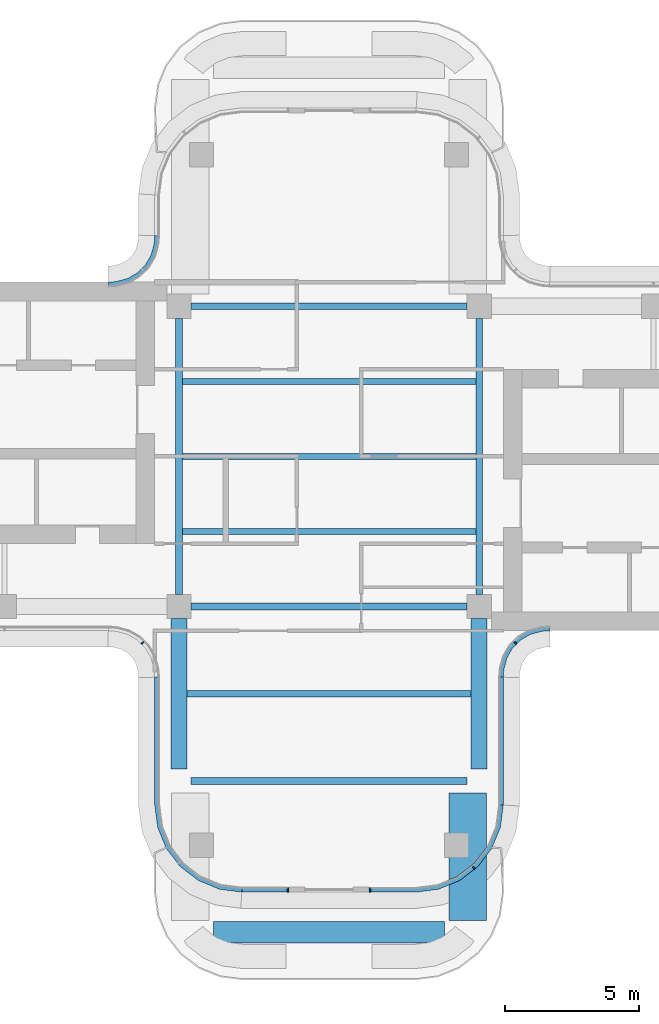
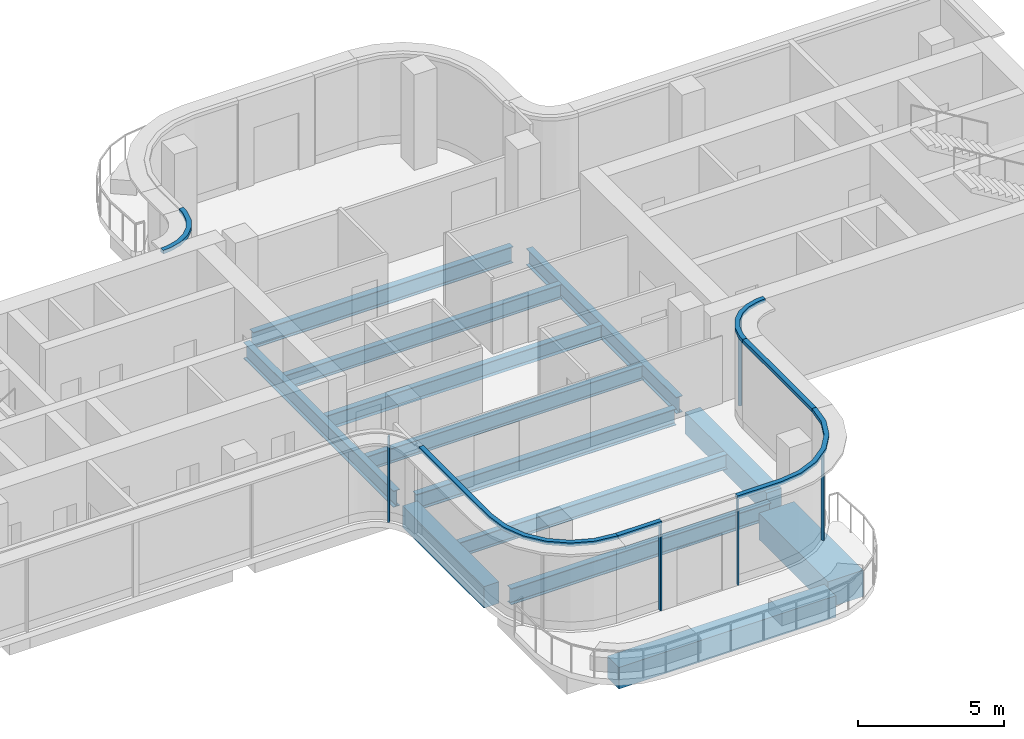
# One storey, part 3 of 11: 13 beams, 11 members, 7 elements without a shape of their own.
"""IFC4 building model written with IfcOpenShell, lengths in metres."""

from ifc_helpers import new_model, si_unit, direction, frame, origin, origin_2d, place, context, subcontext, project, spatial, polyline, rectangle, i_section, outline, extrude, source, transform, mapped, material, layer, layer_set, material_profile, profile_set, type_object, element, aggregate, save


model = new_model("IFC4")

# Units and contexts
model_context = context("Model", 3, precision=1e-05, world=origin(), true_north=direction((0.0, 1.0)))
body_context = subcontext(model_context, "Body", "Model", "MODEL_VIEW")
ifc_project = project(units=[si_unit("LENGTHUNIT", "METRE"), si_unit("AREAUNIT", "SQUARE_METRE"), si_unit("VOLUMEUNIT", "CUBIC_METRE"), si_unit("PLANEANGLEUNIT", "RADIAN"), si_unit("MASSUNIT", "GRAM", prefix="KILO")], contexts=[model_context])

# Site, building, storey
site_placement = place(None, origin())
site = spatial("IfcSite", under=ifc_project, at=site_placement, CompositionType="ELEMENT")
building_placement = place(site_placement, origin())
building = spatial("IfcBuilding", under=site, at=building_placement, Name="Trellis Farm Tower", CompositionType="ELEMENT")
storey_placement = place(building_placement, frame((0.0, 0.0, 346.10009765625)))
storey = spatial("IfcBuildingStorey", under=building, at=storey_placement, Name="L78", CompositionType="ELEMENT", Elevation=346.10009765625)

# Curtain wall, member
ifc_material_1 = material(Name="Aluminium and glass curtain wall", Category="aluminium")
ifc_layer_1 = layer(ifc_material_1, 0.176025390625)
ifc_layer_set_1 = layer_set([ifc_layer_1], Name="CROWN LANTERN CURTAIN WALL CW5")
curtain_wall_type = type_object("IfcCurtainWallType", Name="CROWN LANTERN CURTAIN WALL CW5", PredefinedType="NOTDEFINED", material=ifc_layer_set_1)
placement_1 = place(storey_placement, origin())
curtain_wall_1 = element("IfcCurtainWall", 1, at=placement_1, inside=storey, type_object=curtain_wall_type, Name="CW5 002", PredefinedType="NOTDEFINED")
ifc_material_2 = material(Name="Aluminium extrusion 6063-T6", Category="aluminium")
ifc_layer_2 = layer(ifc_material_2, 0.176025390625)
ifc_layer_set_2 = layer_set([ifc_layer_2], Name="Aluminium extrusion 6063-T6")
member_type_1 = type_object("IfcMemberType", Name="CW5 TRANSOM 176x150", PredefinedType="USERDEFINED", material=ifc_layer_set_2)
placement_2 = place(storey_placement, frame((0.0, 0.0, 3.599853515625)))
member_1 = element("IfcMember", 2, at=placement_2, type_object=member_type_1, Name="TR5 002", ObjectType="TRANSOM", PredefinedType="USERDEFINED", context=body_context, shape_type="SweptSolid", body=[
    extrude(outline(polyline([(-3.25, -16.25), (-1.5, -16.25), (-1.5, -16.073974609375), (-3.238525390625, -16.073974609375), (-3.25, -16.25)])), origin(), (0.0, 0.0, 1.0), 0.150146484375),
])

curtain_wall_2 = element("IfcCurtainWall", 3, at=placement_1, inside=storey, type_object=curtain_wall_type, Name="CW5 003", PredefinedType="NOTDEFINED")
member_2 = element("IfcMember", 4, at=placement_2, type_object=member_type_1, Name="TR5 003", ObjectType="TRANSOM", PredefinedType="USERDEFINED", context=body_context, shape_type="SweptSolid", body=[
    extrude(outline(polyline([(1.5, -16.25), (3.25, -16.25), (4.091064453125, -16.13916015625), (4.875, -15.814697265625), (5.548095703125, -15.298095703125), (6.064697265625, -14.625), (6.38916015625, -13.841064453125), (6.5, -13.0), (6.323974609375, -12.988525390625), (6.2177734375, -13.795166015625), (5.910888671875, -14.5361328125), (5.422607421875, -15.172607421875), (4.7861328125, -15.660888671875), (4.045166015625, -15.9677734375), (3.238525390625, -16.073974609375), (1.5, -16.073974609375), (1.5, -16.25)])), origin(), (0.0, 0.0, 1.0), 0.150146484375),
])

# Beams
ifc_material_3 = material(Name="Steel S355", Category="steel")
ifc_material_profile_1 = material_profile(ifc_material_3, i_section(OverallWidth=0.22900390625, OverallDepth=0.6123046875, WebThickness=0.011962890625, FlangeThickness=0.01953125, FilletRadius=0.0126953125, at=origin_2d()), Name="UB 610x229x125")
ifc_profile_set_1 = profile_set([ifc_material_profile_1], Name="Steel S355")
beam_type_1 = type_object("IfcBeamType", Name="UB 610x229x125 joist", PredefinedType="JOIST", material=ifc_profile_set_1)
shared_shape_1 = source(origin(), body_context, "Body", "SweptSolid", [
    extrude(i_section(OverallWidth=0.22900390625, OverallDepth=0.6123046875, WebThickness=0.011962890625, FlangeThickness=0.01953125, FilletRadius=0.0126953125, at=origin_2d()), origin(), (0.0, 0.0, 1.0), 10.9462890625),
])
for number, where, z_axis, x_axis, name in (
    (5, (-5.47314453125, -2.800048828125, -0.55615234375), (1.0, 0.0, 0.0), (0.0, 1.0, 0.0), "Floor beam"),
    (6, (-5.47314453125, 0.0, -0.55615234375), (1.0, 0.0, 0.0), (0.0, 1.0, 0.0), "Floor beam"),
    (7, (-5.47314453125, 2.800048828125, -0.55615234375), (1.0, 0.0, 0.0), (0.0, 1.0, 0.0), "Floor beam"),
):
    element("IfcBeam", number, at=place(storey_placement, frame(where, z_axis=z_axis, x_axis=x_axis)), inside=storey, type_object=beam_type_1, Name=name, PredefinedType="JOIST", context=body_context, shape_type="MappedRepresentation", body=[
        mapped(shared_shape_1, transform((0.0, 0.0, 0.0))),
    ])
shared_shape_2 = source(origin(), body_context, "Body", "SweptSolid", [
    extrude(i_section(OverallWidth=0.22900390625, OverallDepth=0.6123046875, WebThickness=0.011962890625, FlangeThickness=0.01953125, FilletRadius=0.0126953125, at=origin_2d()), origin(), (0.0, 0.0, 1.0), 10.60009765625),
])
beam_1_placement = place(storey_placement, frame((-5.300048828125, -8.85009765625, -0.55615234375), z_axis=(1.0, 0.0, 0.0), x_axis=(0.0, 1.0, 0.0)))
element("IfcBeam", 8, at=beam_1_placement, inside=storey, type_object=beam_type_1, Name="Floor beam", PredefinedType="JOIST", context=body_context, shape_type="MappedRepresentation", body=[
    mapped(shared_shape_2, transform((0.0, 0.0, 0.0))),
])
ifc_material_4 = material(Name="Concrete C60/75", Category="concrete")
ifc_material_profile_2 = material_profile(ifc_material_4, rectangle(XDim=0.60009765625, YDim=0.89990234375, at=origin_2d()), Name="RC spandrel beam 600x900 C60/75")
ifc_profile_set_2 = profile_set([ifc_material_profile_2], Name="Concrete C60/75")
beam_type_2 = type_object("IfcBeamType", Name="RC spandrel beam 600x900 C60/75", PredefinedType="SPANDREL", material=ifc_profile_set_2)
shared_shape_3 = source(origin(), body_context, "Body", "SweptSolid", [
    extrude(rectangle(XDim=0.60009765625, YDim=0.89990234375, at=origin_2d()), origin(), (0.0, 0.0, 1.0), 5.599853515625),
])
for number, where, z_axis, x_axis, name in (
    (9, (-5.60009765625, -11.64990234375, -0.7001953125), (0.0, 1.0, 0.0), (-1.0, 0.0, 0.0), "Girder"),
    (10, (5.60009765625, -11.64990234375, -0.7001953125), (0.0, 1.0, 0.0), (-1.0, 0.0, 0.0), "Girder"),
):
    element("IfcBeam", number, at=place(storey_placement, frame(where, z_axis=z_axis, x_axis=x_axis)), inside=storey, type_object=beam_type_2, Name=name, PredefinedType="SPANDREL", context=body_context, shape_type="MappedRepresentation", body=[
        mapped(shared_shape_3, transform((0.0, 0.0, 0.0))),
    ])
ifc_material_profile_3 = material_profile(ifc_material_3, i_section(OverallWidth=0.253662109375, OverallDepth=0.68359375, WebThickness=0.012451171875, FlangeThickness=0.021728515625, FilletRadius=0.01513671875, at=origin_2d()), Name="UB 686x254x140")
ifc_profile_set_3 = profile_set([ifc_material_profile_3], Name="Steel S355")
beam_type_3 = type_object("IfcBeamType", Name="UB 686x254x140", PredefinedType="BEAM", material=ifc_profile_set_3)
shared_shape_4 = source(origin(), body_context, "Body", "SweptSolid", [
    extrude(i_section(OverallWidth=0.253662109375, OverallDepth=0.68359375, WebThickness=0.012451171875, FlangeThickness=0.021728515625, FilletRadius=0.01513671875, at=origin_2d()), origin(), (0.0, 0.0, 1.0), 10.2998046875),
])
for number, where, z_axis, x_axis, name in (
    (11, (-5.14990234375, -12.10009765625, -0.591796875), (1.0, 0.0, 0.0), (0.0, 1.0, 0.0), "Girder"),
    (12, (-5.14990234375, -5.60009765625, -0.591796875), (1.0, 0.0, 0.0), (0.0, 1.0, 0.0), "Girder"),
    (13, (-5.14990234375, 5.60009765625, -0.591796875), (1.0, 0.0, 0.0), (0.0, 1.0, 0.0), "Girder"),
    (14, (-5.60009765625, -5.14990234375, -0.591796875), (0.0, 1.0, 0.0), (-1.0, 0.0, 0.0), "Girder"),
    (15, (5.60009765625, -5.14990234375, -0.591796875), (0.0, 1.0, 0.0), (-1.0, 0.0, 0.0), "Girder"),
):
    element("IfcBeam", number, at=place(storey_placement, frame(where, z_axis=z_axis, x_axis=x_axis)), inside=storey, type_object=beam_type_3, Name=name, PredefinedType="BEAM", context=body_context, shape_type="MappedRepresentation", body=[
        mapped(shared_shape_4, transform((0.0, 0.0, 0.0))),
    ])
ifc_material_profile_4 = material_profile(ifc_material_4, rectangle(XDim=0.800048828125, YDim=0.89990234375, at=origin_2d()), Name="RC spandrel beam 800x900 C60/75")
ifc_profile_set_4 = profile_set([ifc_material_profile_4], Name="Concrete C60/75")
beam_type_4 = type_object("IfcBeamType", Name="RC spandrel beam 800x900 C60/75", PredefinedType="SPANDREL", material=ifc_profile_set_4)
shared_shape_5 = source(origin(), body_context, "Body", "SweptSolid", [
    extrude(rectangle(XDim=0.800048828125, YDim=0.89990234375, at=origin_2d()), origin(), (0.0, 0.0, 1.0), 8.60009765625),
])
beam_2_placement = place(storey_placement, frame((-4.300048828125, -17.75, -0.7001953125), z_axis=(1.0, 0.0, 0.0), x_axis=(0.0, 1.0, 0.0)))
element("IfcBeam", 16, at=beam_2_placement, inside=storey, type_object=beam_type_4, Name="Girder", PredefinedType="SPANDREL", context=body_context, shape_type="MappedRepresentation", body=[
    mapped(shared_shape_5, transform((0.0, 0.0, 0.0))),
])
ifc_material_5 = material(Name="Concrete C80/95", Category="concrete")
ifc_material_profile_5 = material_profile(ifc_material_5, rectangle(XDim=1.39990234375, YDim=1.10009765625, at=origin_2d()), Name="RC transfer beam 1400x1100 C80/95")
ifc_profile_set_5 = profile_set([ifc_material_profile_5], Name="Concrete C80/95")
beam_type_5 = type_object("IfcBeamType", Name="RC transfer beam 1400x1100 C80/95", PredefinedType="BEAM", material=ifc_profile_set_5)
shared_shape_6 = source(origin(), body_context, "Body", "SweptSolid", [
    extrude(rectangle(XDim=1.39990234375, YDim=1.10009765625, at=origin_2d()), origin(), (0.0, 0.0, 1.0), 4.75),
])
beam_3_placement = place(storey_placement, frame((5.175048828125, -17.300048828125, -0.800048828125), z_axis=(0.0, 1.0, 0.0), x_axis=(-1.0, 0.0, 0.0)))
element("IfcBeam", 17, at=beam_3_placement, inside=storey, type_object=beam_type_5, Name="Transfer girder", PredefinedType="BEAM", context=body_context, shape_type="MappedRepresentation", body=[
    mapped(shared_shape_6, transform((0.0, 0.0, 0.0))),
])

# Member
ifc_material_profile_6 = material_profile(ifc_material_2, rectangle(XDim=0.06005859375, YDim=0.1201171875, at=origin_2d()), Name="MULLION 60x120")
ifc_profile_set_6 = profile_set([ifc_material_profile_6], Name="Aluminium extrusion 6063-T6")
member_type_2 = type_object("IfcMemberType", Name="CW5 MULLION 60x120", PredefinedType="MULLION", material=ifc_profile_set_6)
shared_shape_7 = source(origin(), body_context, "Body", "SweptSolid", [
    extrude(rectangle(XDim=0.06005859375, YDim=0.1201171875, at=origin_2d()), origin(), (0.0, 0.0, 1.0), 3.599853515625),
])
member_3_placement = place(storey_placement, frame((-1.530029296875, -16.18994140625, 0.0), z_axis=(0.0, 0.0, 1.0), x_axis=(1.0, 0.0, 0.0)))
member_3 = element("IfcMember", 18, at=member_3_placement, type_object=member_type_2, Name="MU5 002-01", PredefinedType="MULLION", context=body_context, shape_type="MappedRepresentation", body=[
    mapped(shared_shape_7, transform((0.0, 0.0, 0.0))),
])

aggregate(curtain_wall_1, [member_3, member_1])

member_4_placement = place(storey_placement, frame((1.530029296875, -16.18994140625, 0.0), z_axis=(0.0, 0.0, 1.0), x_axis=(1.0, 0.0, 0.0)))
member_4 = element("IfcMember", 19, at=member_4_placement, type_object=member_type_2, Name="MU5 003-01", PredefinedType="MULLION", context=body_context, shape_type="MappedRepresentation", body=[
    mapped(shared_shape_7, transform((0.0, 0.0, 0.0))),
])

member_5_placement = place(storey_placement, frame((5.394775390625, -15.340087890625, 0.0), z_axis=(0.0, 0.0, 1.0), x_axis=(0.793353340291, 0.608761429009, 0.0)))
member_5 = element("IfcMember", 20, at=member_5_placement, type_object=member_type_2, Name="MU5 003-02", PredefinedType="MULLION", context=body_context, shape_type="MappedRepresentation", body=[
    mapped(shared_shape_7, transform((0.0, 0.0, 0.0))),
])

aggregate(curtain_wall_2, [member_4, member_5, member_2])

# Curtain wall, member
curtain_wall_3 = element("IfcCurtainWall", 21, at=placement_1, inside=storey, type_object=curtain_wall_type, Name="CW5 005", PredefinedType="NOTDEFINED")
member_6_placement = place(storey_placement, frame((6.953125, -6.953125, 0.0), z_axis=(0.0, 0.0, 1.0), x_axis=(0.707106781187, 0.707106781187, 0.0)))
member_6 = element("IfcMember", 22, at=member_6_placement, type_object=member_type_2, Name="MU5 005-01", PredefinedType="MULLION", context=body_context, shape_type="MappedRepresentation", body=[
    mapped(shared_shape_7, transform((0.0, 0.0, 0.0))),
])

curtain_wall_4 = element("IfcCurtainWall", 23, at=placement_1, inside=storey, type_object=curtain_wall_type, Name="CW5 016", PredefinedType="NOTDEFINED")
member_7_placement = place(storey_placement, frame((-6.953125, -6.953125, 0.0), z_axis=(0.0, 0.0, 1.0), x_axis=(0.707106781187, -0.707106781187, 0.0)))
member_7 = element("IfcMember", 24, at=member_7_placement, type_object=member_type_2, Name="MU5 016-01", PredefinedType="MULLION", context=body_context, shape_type="MappedRepresentation", body=[
    mapped(shared_shape_7, transform((0.0, 0.0, 0.0))),
])
aggregate(curtain_wall_4, [member_7])

# Member
shared_shape_8 = source(origin(), body_context, "Body", "SweptSolid", [
    extrude(outline(polyline([(6.5, -8.2314453125), (6.513916015625, -8.01953125), (6.527587890625, -7.91552734375), (6.63671875, -7.508544921875), (6.846923828125, -7.144287109375), (7.144287109375, -6.846923828125), (7.508544921875, -6.63671875), (7.91552734375, -6.527587890625), (8.01953125, -6.513916015625), (8.2314453125, -6.5), (8.2255859375, -6.323974609375), (8.002197265625, -6.338623046875), (7.881103515625, -6.3544921875), (7.440673828125, -6.47265625), (7.0361328125, -6.7060546875), (6.7060546875, -7.0361328125), (6.47265625, -7.440673828125), (6.3544921875, -7.881103515625), (6.338623046875, -8.002197265625), (6.323974609375, -8.2255859375), (6.5, -8.2314453125)])), origin(), (0.0, 0.0, 1.0), 0.150146484375),
])
member_8 = element("IfcMember", 25, at=placement_2, type_object=member_type_1, Name="TR5 005", ObjectType="TRANSOM", PredefinedType="USERDEFINED", context=body_context, shape_type="MappedRepresentation", body=[
    mapped(shared_shape_8, transform((0.0, 0.0, 0.0))),
])

aggregate(curtain_wall_3, [member_6, member_8])

# Curtain wall, member
curtain_wall_5 = element("IfcCurtainWall", 26, at=placement_1, inside=storey, type_object=curtain_wall_type, Name="CW5 013", PredefinedType="NOTDEFINED")
shared_shape_9 = source(origin(), body_context, "Body", "SweptSolid", [
    extrude(outline(polyline([(-6.5, 8.2314453125), (-6.513916015625, 8.01953125), (-6.527587890625, 7.91552734375), (-6.63671875, 7.508544921875), (-6.846923828125, 7.144287109375), (-7.144287109375, 6.846923828125), (-7.508544921875, 6.63671875), (-7.91552734375, 6.527587890625), (-8.01953125, 6.513916015625), (-8.2314453125, 6.5), (-8.2255859375, 6.323974609375), (-8.002197265625, 6.338623046875), (-7.881103515625, 6.3544921875), (-7.440673828125, 6.47265625), (-7.0361328125, 6.7060546875), (-6.7060546875, 7.0361328125), (-6.47265625, 7.440673828125), (-6.3544921875, 7.881103515625), (-6.338623046875, 8.002197265625), (-6.323974609375, 8.2255859375), (-6.5, 8.2314453125)])), origin(), (0.0, 0.0, 1.0), 0.150146484375),
])
member_9 = element("IfcMember", 27, at=placement_2, type_object=member_type_1, Name="TR5 013", ObjectType="TRANSOM", PredefinedType="USERDEFINED", context=body_context, shape_type="MappedRepresentation", body=[
    mapped(shared_shape_9, transform((0.0, 0.0, 0.0))),
])
aggregate(curtain_wall_5, [member_9])

curtain_wall_6 = element("IfcCurtainWall", 28, at=placement_1, inside=storey, type_object=curtain_wall_type, Name="CW5 001", PredefinedType="NOTDEFINED")
shared_shape_10 = source(origin(), body_context, "Body", "SweptSolid", [
    extrude(outline(polyline([(-6.5, -8.2314453125), (-6.5, -13.0), (-6.38916015625, -13.841064453125), (-6.064697265625, -14.625), (-5.548095703125, -15.298095703125), (-4.875, -15.814697265625), (-4.091064453125, -16.13916015625), (-3.25, -16.25), (-3.238525390625, -16.073974609375), (-4.045166015625, -15.9677734375), (-4.7861328125, -15.660888671875), (-5.422607421875, -15.172607421875), (-5.910888671875, -14.5361328125), (-6.2177734375, -13.795166015625), (-6.323974609375, -12.988525390625), (-6.323974609375, -8.2255859375), (-6.5, -8.2314453125)])), origin(), (0.0, 0.0, 1.0), 0.150146484375),
])
member_10 = element("IfcMember", 29, at=placement_2, type_object=member_type_1, Name="TR5 001", ObjectType="TRANSOM", PredefinedType="USERDEFINED", context=body_context, shape_type="MappedRepresentation", body=[
    mapped(shared_shape_10, transform((0.0, 0.0, 0.0))),
])
aggregate(curtain_wall_6, [member_10])

curtain_wall_7 = element("IfcCurtainWall", 30, at=placement_1, inside=storey, type_object=curtain_wall_type, Name="CW5 004", PredefinedType="NOTDEFINED")
shared_shape_11 = source(origin(), body_context, "Body", "SweptSolid", [
    extrude(outline(polyline([(6.5, -13.0), (6.5, -8.2314453125), (6.323974609375, -8.2255859375), (6.323974609375, -12.988525390625), (6.5, -13.0)])), origin(), (0.0, 0.0, 1.0), 0.150146484375),
])
member_11 = element("IfcMember", 31, at=placement_2, type_object=member_type_1, Name="TR5 004", ObjectType="TRANSOM", PredefinedType="USERDEFINED", context=body_context, shape_type="MappedRepresentation", body=[
    mapped(shared_shape_11, transform((0.0, 0.0, 0.0))),
])
aggregate(curtain_wall_7, [member_11])

save(model, "model.ifc")
